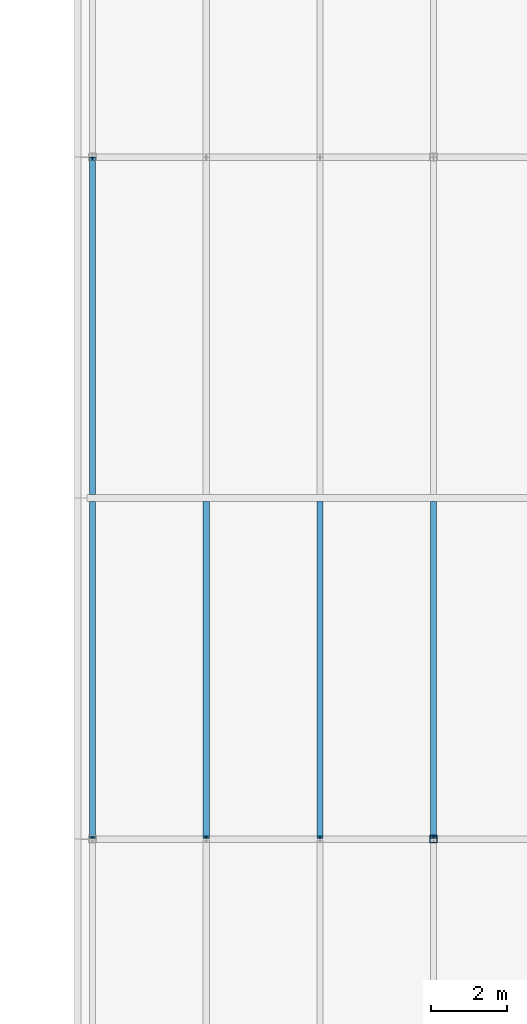
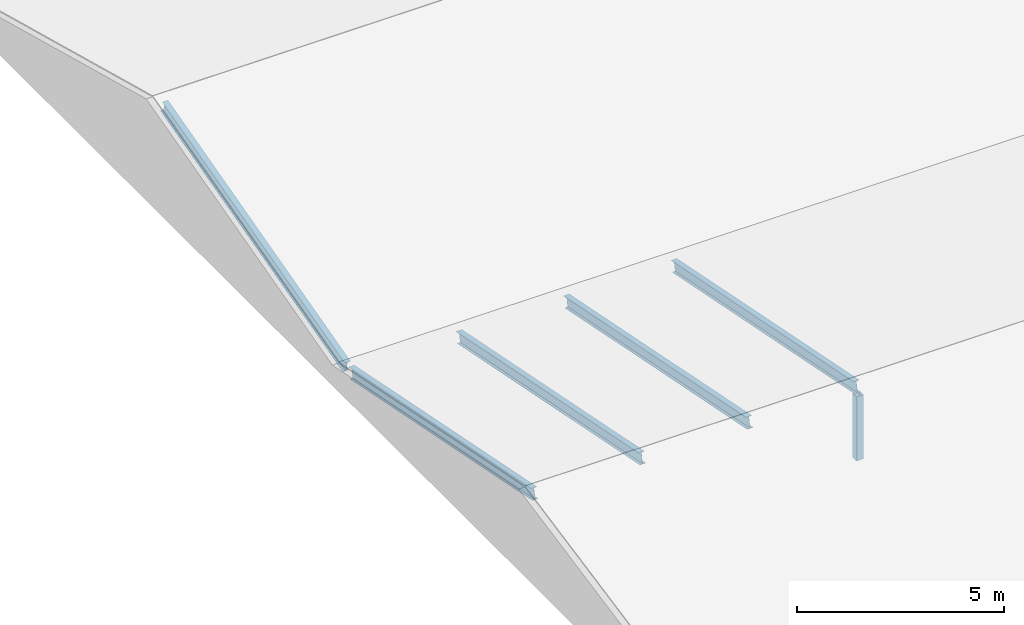
# One storey, part 5 of 29: 6 members.
"""IFC4 building model written with IfcOpenShell, lengths in metres."""

from ifc_helpers import new_model, si_unit, direction, frame, origin, origin_2d, place, context, subcontext, project, spatial, hollow_rectangle, i_section, extrude, material, material_profile, profile_set, type_object, element, save


model = new_model("IFC4")

# Units and contexts
model_context = context("Model", 3, precision=1e-05, world=origin(), true_north=direction((0.0, 1.0)))
body_context = subcontext(model_context, "Body", "Model", "MODEL_VIEW")
ifc_project = project(units=[si_unit("LENGTHUNIT", "METRE"), si_unit("AREAUNIT", "SQUARE_METRE"), si_unit("VOLUMEUNIT", "CUBIC_METRE"), si_unit("PLANEANGLEUNIT", "RADIAN"), si_unit("MASSUNIT", "GRAM", prefix="KILO")], contexts=[model_context])

# Site, building, storey
site_placement = place(None, origin())
site = spatial("IfcSite", under=ifc_project, at=site_placement, CompositionType="ELEMENT")
building_placement = place(site_placement, origin())
building = spatial("IfcBuilding", under=site, at=building_placement, Name="Azimuth Sports and Learning Centre", CompositionType="ELEMENT")
storey_placement = place(building_placement, frame((0.0, 0.0, 27.0)))
storey = spatial("IfcBuildingStorey", under=building, at=storey_placement, Name="L05", CompositionType="ELEMENT", Elevation=27.0)

# Members
ifc_material_1 = material(Name="Steel S355", Category="steel")
ifc_material_profile_1 = material_profile(ifc_material_1, i_section(OverallWidth=0.159912109375, OverallDepth=0.330078125, WebThickness=0.007568359375, FlangeThickness=0.011474609375, FilletRadius=0.01806640625, at=origin_2d()), Name="IPE 330")
ifc_profile_set_1 = profile_set([ifc_material_profile_1], Name="Steel S355")
member_type_1 = type_object("IfcMemberType", Name="Rafter IPE 330", PredefinedType="RAFTER", material=ifc_profile_set_1)
for number, where, z_axis, x_axis, name in (
    (1, (72.0, 18.052734375, 2.068115234375), (0.0, 0.980581719653, -0.196110915255), (-1.0, 0.0, 0.0), "Rafter FOLD03 21"),
    (2, (75.0, 18.052734375, 2.068115234375), (0.0, 0.980581719653, -0.196110915255), (-1.0, 0.0, 0.0), "Rafter FOLD03 22"),
    (3, (78.0, 18.052734375, 2.068115234375), (0.0, 0.980581719653, -0.196110915255), (-1.0, 0.0, 0.0), "Rafter FOLD03 23"),
    (4, (81.0, 18.052734375, 2.068115234375), (0.0, 0.980581719653, -0.196110915255), (-1.0, 0.0, 0.0), "Rafter FOLD03 24"),
):
    element("IfcMember", number, at=place(storey_placement, frame(where, z_axis=z_axis, x_axis=x_axis)), inside=storey, type_object=member_type_1, Name=name, PredefinedType="RAFTER", context=body_context, shape_type="SweptSolid", body=[
        extrude(i_section(OverallWidth=0.159912109375, OverallDepth=0.330078125, WebThickness=0.007568359375, FlangeThickness=0.011474609375, FilletRadius=0.01806640625, at=origin_2d()), origin(), (0.0, 0.0, 1.0), 8.994384765625),
    ])
member_1_placement = place(storey_placement, frame((72.0, 27.137451171875, 0.310546875), z_axis=(0.0, 0.966234051779, 0.257665979872), x_axis=(-1.0, 0.0, 0.0)))
element("IfcMember", 5, at=member_1_placement, inside=storey, type_object=member_type_1, Name="Rafter FOLD04 31", PredefinedType="RAFTER", context=body_context, shape_type="SweptSolid", body=[
    extrude(i_section(OverallWidth=0.159912109375, OverallDepth=0.330078125, WebThickness=0.007568359375, FlangeThickness=0.011474609375, FilletRadius=0.01806640625, at=origin_2d()), origin(), (0.0, 0.0, 1.0), 9.128173828125),
])
ifc_material_2 = material(Name="Steel S355", Category="steel")
ifc_material_profile_2 = material_profile(ifc_material_2, hollow_rectangle(XDim=0.199951171875, YDim=0.199951171875, WallThickness=0.010009765625, InnerFilletRadius=0.010009765625, OuterFilletRadius=0.014892578125, at=origin_2d()), Name="SHS 200x200x10.0")
ifc_profile_set_2 = profile_set([ifc_material_profile_2], Name="Steel S355")
member_type_2 = type_object("IfcMemberType", Name="Truss post SHS 200x200x10.0", PredefinedType="POST", material=ifc_profile_set_2)
member_2_placement = place(storey_placement, frame((81.0, 18.0, 0.0), z_axis=(0.0, 0.0, 1.0), x_axis=(1.0, 0.0, 0.0)))
element("IfcMember", 6, at=member_2_placement, inside=storey, type_object=member_type_2, Name="Ridge post 10C", PredefinedType="POST", context=body_context, shape_type="SweptSolid", body=[
    extrude(hollow_rectangle(XDim=0.199951171875, YDim=0.199951171875, WallThickness=0.010009765625, InnerFilletRadius=0.010009765625, OuterFilletRadius=0.014892578125, at=origin_2d()), origin(), (0.0, 0.0, 1.0), 1.886962890625),
])

save(model, "model.ifc")
